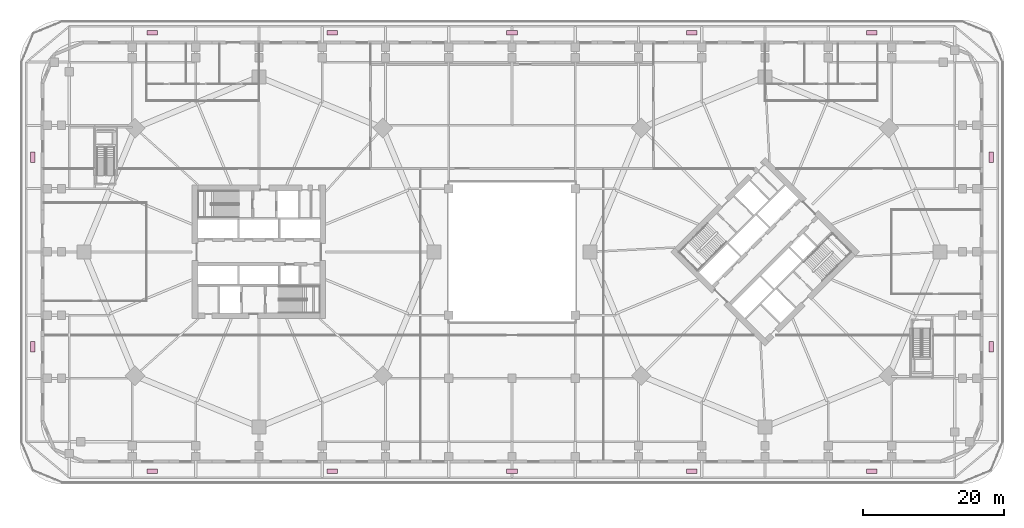
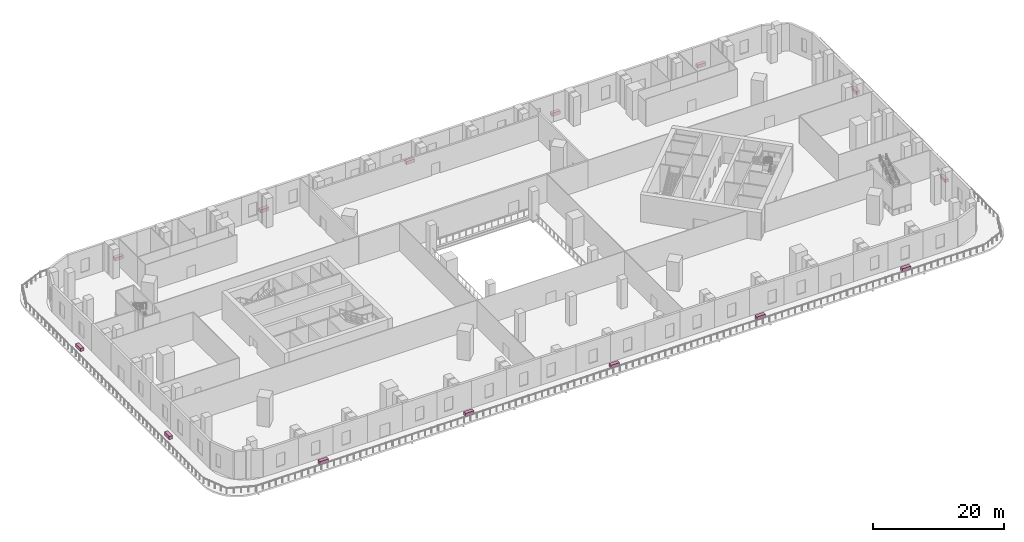
# One storey, part 19 of 19: 14 furniture elements.
"""IFC4 building model written with IfcOpenShell, lengths in metres."""

import ifcopenshell
import ifcopenshell.guid

model = None  # the IFC model being written
_history = None  # IfcOwnerHistory: only IFC2X3 demands one
_inside = {}  # id of a spatial element -> (the spatial element, [elements in it])
_under = {}  # id of a project, library or spatial element -> (it, [spatial elements below it])
_declared = {}  # id of a project -> (the project, [libraries it declares])
_typed = {}  # id of a type object -> (the type object, [elements of that type])
_made_of = {}  # id of a material, layer set ... -> (it, [elements and type objects made of it])


def new_model(schema):
    """Start an empty IFC model of exactly this schema.

    Asked for "IFC4X3", IfcOpenShell would pick the latest addendum, in which some entities
    have other attributes; the version numbers below select the first issue.
    IFC2X3 requires an IfcOwnerHistory on every rooted entity: one is made here for all.
    """
    global model, _history
    if schema == "IFC4X3":
        model = ifcopenshell.file(schema_version=(4, 3, 0, 0))
    else:
        model = ifcopenshell.file(schema=schema)
    _inside.clear()
    _under.clear()
    _declared.clear()
    _typed.clear()
    _made_of.clear()
    _history = None
    if model.schema == "IFC2X3":
        org = make("IfcOrganization", Name="unknown")
        user = make(
            "IfcPersonAndOrganization",
            ThePerson=make("IfcPerson", FamilyName="unknown"),
            TheOrganization=org,
        )
        app = make(
            "IfcApplication",
            ApplicationDeveloper=org,
            Version="unknown",
            ApplicationFullName="unknown",
            ApplicationIdentifier="unknown",
        )
        _history = make(
            "IfcOwnerHistory",
            OwningUser=user,
            OwningApplication=app,
            ChangeAction="ADDED",
            CreationDate=0,
        )
    return model


def make(cls, **values):
    """One entity of the class cls with the attributes given. An attribute that is None is left unset."""
    return model.create_entity(
        cls, **{name: value for name, value in values.items() if value is not None}
    )


def rooted(cls, **values):
    """An entity with a GlobalId (a new one), such as an element, a storey or a relation."""
    return make(cls, GlobalId=ifcopenshell.guid.new(), OwnerHistory=_history, **values)


def si_unit(unit_type, name, prefix=None):
    """IfcSIUnit, for example si_unit("LENGTHUNIT", "METRE", prefix="MILLI")."""
    return make("IfcSIUnit", UnitType=unit_type, Prefix=prefix, Name=name)


def assignment(units):
    """IfcUnitAssignment: the units of a project."""
    return None if units is None else make("IfcUnitAssignment", Units=units)


def point(xyz):
    """IfcCartesianPoint."""
    return None if xyz is None else make("IfcCartesianPoint", Coordinates=xyz)


def direction(xyz):
    """IfcDirection."""
    return None if xyz is None else make("IfcDirection", DirectionRatios=xyz)


def frame(location, z_axis=None, x_axis=None):
    """IfcAxis2Placement3D, a coordinate frame: its origin and axes. An axis left out is left unset."""
    return make(
        "IfcAxis2Placement3D",
        Location=point(location),
        Axis=direction(z_axis),
        RefDirection=direction(x_axis),
    )


def frame_2d(location, x_axis=None):
    """IfcAxis2Placement2D, a coordinate frame in the plane: its origin and x axis."""
    return make(
        "IfcAxis2Placement2D", Location=point(location), RefDirection=direction(x_axis)
    )


def origin():
    """The frame at (0, 0, 0) with its axes left unset."""
    return frame((0.0, 0.0, 0.0))


def origin_2d():
    """The frame at (0, 0) in the plane with its x axis left unset."""
    return frame_2d((0.0, 0.0))


def place(relative_to, where):
    """IfcLocalPlacement: puts the frame where relative to a parent placement (None: the world)."""
    return make(
        "IfcLocalPlacement", PlacementRelTo=relative_to, RelativePlacement=where
    )


def context(
    kind, dimensions, precision=None, world=None, true_north=None, identifier=None
):
    """IfcGeometricRepresentationContext, for example the 3D "Model" context."""
    return make(
        "IfcGeometricRepresentationContext",
        ContextIdentifier=identifier,
        ContextType=kind,
        CoordinateSpaceDimension=dimensions,
        Precision=precision,
        WorldCoordinateSystem=world,
        TrueNorth=true_north,
    )


def subcontext(parent, identifier, kind, view, scale=None):
    """IfcGeometricRepresentationSubContext, for example "Body" below "Model"."""
    return make(
        "IfcGeometricRepresentationSubContext",
        ContextIdentifier=identifier,
        ContextType=kind,
        ParentContext=parent,
        TargetScale=scale,
        TargetView=view,
    )


def project(units=None, contexts=None):
    """IfcProject with its units and contexts."""
    return rooted(
        "IfcProject",
        Name="project",
        RepresentationContexts=contexts,
        UnitsInContext=assignment(units),
    )


def spatial(cls, under=None, at=None, **own):
    """A site, building, storey or space (cls), placed at a placement, below another one or the project."""
    s = rooted(cls, ObjectPlacement=at, **own)
    if under is not None:
        _under.setdefault(under.id(), (under, []))[1].append(s)
    return s


def profile(cls, at=None, kind="AREA", **sizes):
    """A parametric profile (cls). Its sizes go by their IFC names, for example OverallWidth=200.0."""
    return make(cls, ProfileType=kind, Position=at, **sizes)


def rectangle(**sizes):
    """IfcRectangleProfileDef."""
    return profile("IfcRectangleProfileDef", **sizes)


def extrude(swept, where, along, depth):
    """IfcExtrudedAreaSolid: the profile swept, set in the frame where, extruded along a direction by depth."""
    return make(
        "IfcExtrudedAreaSolid",
        SweptArea=swept,
        Position=where,
        ExtrudedDirection=direction(along),
        Depth=depth,
    )


def shape(context_of_items, identifier, shape_type, items):
    """IfcShapeRepresentation: the items that make up one representation, for example the "Body"."""
    return make(
        "IfcShapeRepresentation",
        ContextOfItems=context_of_items,
        RepresentationIdentifier=identifier,
        RepresentationType=shape_type,
        Items=items,
    )


def material(Name=None, Category=None):
    """IfcMaterial."""
    return make("IfcMaterial", Name=Name, Category=Category)


def made_of(thing, what):
    """Note that an element or type object is made of a material, layer set ...; save() writes the relation."""
    if what is not None:
        _made_of.setdefault(what.id(), (what, []))[1].append(thing)
    return thing


def type_object(cls, material=None, **own):
    """A type object (cls), such as IfcWallType, which elements share."""
    return made_of(rooted(cls, **own), material)


def element(
    cls,
    number,
    at=None,
    inside=None,
    cuts=None,
    type_object=None,
    material=None,
    context=None,
    identifier="Body",
    shape_type=None,
    held_by="IfcProductDefinitionShape",
    body=None,
    shapes=None,
    **own,
):
    """One element of the class cls, such as IfcWall. Its Tag is "e" and its number.

    at: its placement. inside: the storey or other place that contains it. cuts: it is an
    opening in that element (IfcRelVoidsElement). A single representation is given by context,
    identifier, shape_type and body (its items); several are given by shapes. held_by: the class
    of the entity that holds the representations. save() writes the other relations.
    """
    e = rooted(cls, Tag="e%d" % number, ObjectPlacement=at, **own)
    if body is not None:
        shapes = [shape(context, identifier, shape_type, body)]
    if shapes is not None:
        e.Representation = make(held_by, Representations=shapes)
    if inside is not None:
        _inside.setdefault(inside.id(), (inside, []))[1].append(e)
    if cuts is not None:
        rooted(
            "IfcRelVoidsElement", RelatingBuildingElement=cuts, RelatedOpeningElement=e
        )
    if type_object is not None:
        _typed.setdefault(type_object.id(), (type_object, []))[1].append(e)
    return made_of(e, material)


def aggregate(whole, parts):
    """IfcRelAggregates: a whole, such as a stair, and the parts it consists of."""
    return rooted("IfcRelAggregates", RelatingObject=whole, RelatedObjects=parts)


def save(model, path):
    """Write the relations noted so far, then the file.

    IfcRelAggregates (storeys below a building ...), IfcRelContainedInSpatialStructure (elements
    in a storey), IfcRelDefinesByType, IfcRelAssociatesMaterial and IfcRelDeclares: one each for
    every whole, place, type object, material and project.
    """
    for whole, parts in _under.values():
        aggregate(whole, parts)
    for where, things in _inside.values():
        rooted(
            "IfcRelContainedInSpatialStructure",
            RelatedElements=things,
            RelatingStructure=where,
        )
    for kind, things in _typed.values():
        rooted("IfcRelDefinesByType", RelatedObjects=things, RelatingType=kind)
    for what, things in _made_of.values():
        rooted("IfcRelAssociatesMaterial", RelatedObjects=things, RelatingMaterial=what)
    for by, libraries in _declared.values():
        rooted("IfcRelDeclares", RelatingContext=by, RelatedDefinitions=libraries)
    model.write(path)


model = new_model("IFC4")

# Units and contexts
model_context = context("Model", 3, precision=1e-05, world=origin(), true_north=direction((0.0, 1.0)))
body_context = subcontext(model_context, "Body", "Model", "MODEL_VIEW")
ifc_project = project(units=[si_unit("LENGTHUNIT", "METRE"), si_unit("AREAUNIT", "SQUARE_METRE"), si_unit("VOLUMEUNIT", "CUBIC_METRE"), si_unit("PLANEANGLEUNIT", "RADIAN"), si_unit("MASSUNIT", "GRAM", prefix="KILO")], contexts=[model_context])

# Site, building, storey
site_placement = place(None, origin())
site = spatial("IfcSite", under=ifc_project, at=site_placement, CompositionType="ELEMENT")
building_placement = place(site_placement, origin())
building = spatial("IfcBuilding", under=site, at=building_placement, Name="Ogive Gate Towers", CompositionType="ELEMENT")
storey_placement = place(building_placement, frame((0.0, 0.0, 12.60009765625)))
storey = spatial("IfcBuildingStorey", under=building, at=storey_placement, Name="L02", CompositionType="ELEMENT", Elevation=12.60009765625)

# Furniture
ifc_material = material(Name="Precast concrete C40/50", Category="concrete")
furniture_type = type_object("IfcFurnitureType", Name="Planter 1500 x 600", AssemblyPlace="NOTDEFINED", PredefinedType="USERDEFINED", material=ifc_material)
for number, where, z_axis, x_axis, name in (
    (1, (68.199951171875, -13.5, -0.000244140625), (0.0, 0.0, 1.0), (0.0, 1.0, 0.0), "Planter"),
    (2, (68.199951171875, 13.5, -0.000244140625), (0.0, 0.0, 1.0), (0.0, 1.0, 0.0), "Planter"),
    (3, (51.199951171875, 31.199951171875, -0.000244140625), (0.0, 0.0, 1.0), (-1.0, 0.0, 0.0), "Planter"),
    (4, (25.60009765625, 31.199951171875, -0.000244140625), (0.0, 0.0, 1.0), (-1.0, 0.0, 0.0), "Planter"),
    (5, (0.0, 31.199951171875, -0.000244140625), (0.0, 0.0, 1.0), (-1.0, 0.0, 0.0), "Planter"),
    (6, (-25.60009765625, 31.199951171875, -0.000244140625), (0.0, 0.0, 1.0), (-1.0, 0.0, 0.0), "Planter"),
    (7, (-51.199951171875, 31.199951171875, -0.000244140625), (0.0, 0.0, 1.0), (-1.0, 0.0, 0.0), "Planter"),
    (8, (-68.199951171875, 13.5, -0.000244140625), (0.0, 0.0, 1.0), (0.0, -1.0, 0.0), "Planter"),
    (9, (-68.199951171875, -13.5, -0.000244140625), (0.0, 0.0, 1.0), (0.0, -1.0, 0.0), "Planter"),
    (10, (-51.199951171875, -31.199951171875, -0.000244140625), (0.0, 0.0, 1.0), (1.0, 0.0, 0.0), "Planter"),
    (11, (-25.60009765625, -31.199951171875, -0.000244140625), (0.0, 0.0, 1.0), (1.0, 0.0, 0.0), "Planter"),
    (12, (0.0, -31.199951171875, -0.000244140625), (0.0, 0.0, 1.0), (1.0, 0.0, 0.0), "Planter"),
    (13, (25.60009765625, -31.199951171875, -0.000244140625), (0.0, 0.0, 1.0), (1.0, 0.0, 0.0), "Planter"),
    (14, (51.199951171875, -31.199951171875, -0.000244140625), (0.0, 0.0, 1.0), (1.0, 0.0, 0.0), "Planter"),
):
    element("IfcFurniture", number, at=place(storey_placement, frame(where, z_axis=z_axis, x_axis=x_axis)), inside=storey, type_object=furniture_type, Name=name, ObjectType="PLANTER", PredefinedType="USERDEFINED", context=body_context, shape_type="SweptSolid", body=[
        extrude(rectangle(XDim=1.5, YDim=0.60009765625, at=origin_2d()), origin(), (0.0, 0.0, 1.0), 0.60009765625),
    ])

save(model, "model.ifc")
